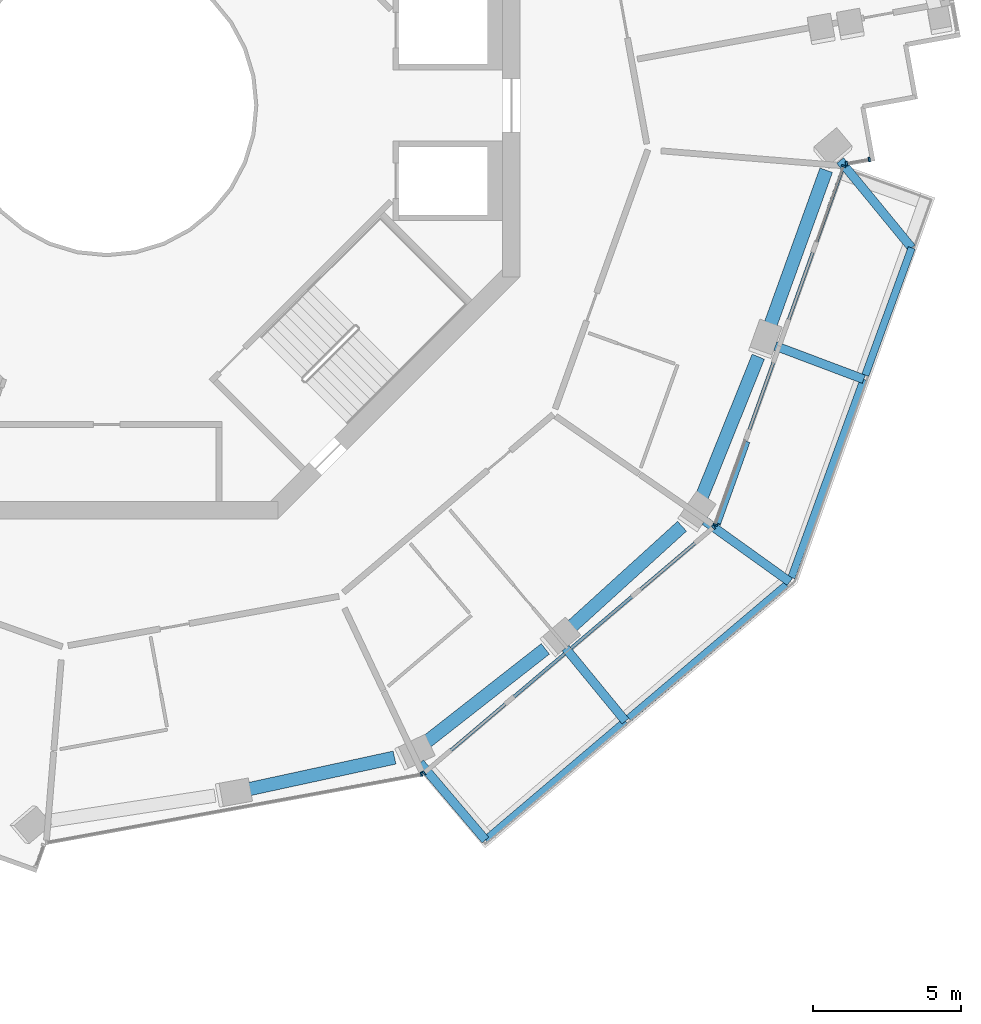
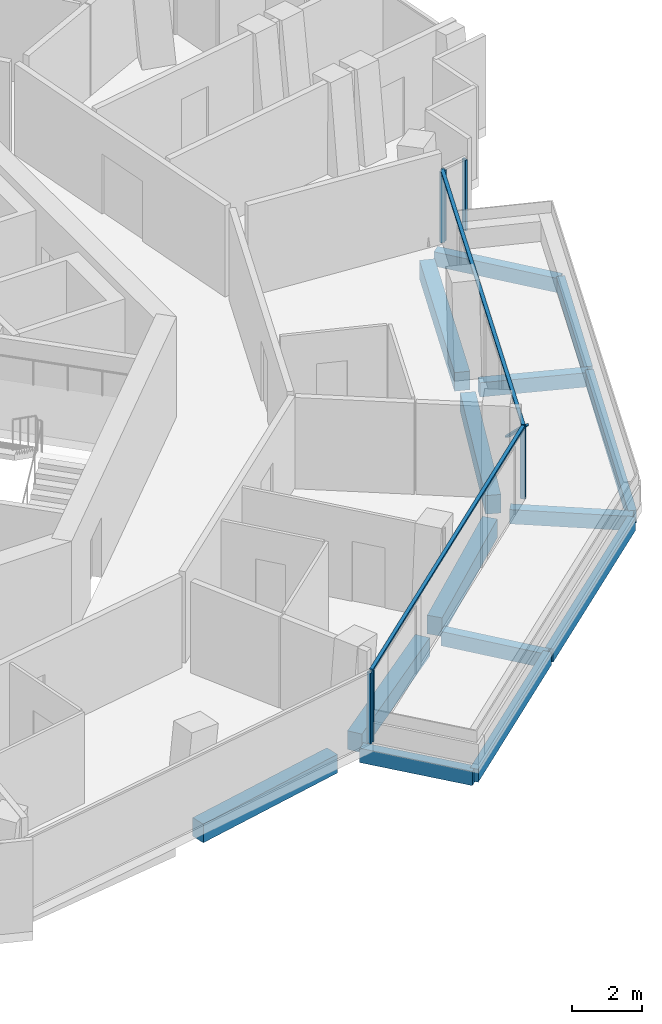
# One storey, part 4 of 21: 14 beams, 10 members, 4 elements without a shape of their own.
"""IFC4 building model written with IfcOpenShell, lengths in metres."""

from ifc_helpers import new_model, si_unit, direction, frame, origin, origin_2d, place, context, subcontext, project, spatial, rectangle, extrude, material, layer, layer_set, material_profile, profile_set, type_object, element, aggregate, save


model = new_model("IFC4")

# Units and contexts
model_context = context("Model", 3, precision=1e-05, world=origin(), true_north=direction((0.0, 1.0)))
body_context = subcontext(model_context, "Body", "Model", "MODEL_VIEW")
ifc_project = project(units=[si_unit("LENGTHUNIT", "METRE"), si_unit("AREAUNIT", "SQUARE_METRE"), si_unit("VOLUMEUNIT", "CUBIC_METRE"), si_unit("PLANEANGLEUNIT", "RADIAN"), si_unit("MASSUNIT", "GRAM", prefix="KILO")], contexts=[model_context])

# Site, building, storey
site_placement = place(None, origin())
site = spatial("IfcSite", under=ifc_project, at=site_placement, CompositionType="ELEMENT")
building_placement = place(site_placement, origin())
building = spatial("IfcBuilding", under=site, at=building_placement, Name="Verdalira Terraces Hotel", CompositionType="ELEMENT")
storey_placement = place(building_placement, frame((0.0, 0.0, 197.5)))
storey = spatial("IfcBuildingStorey", under=building, at=storey_placement, Name="L48", CompositionType="ELEMENT", Elevation=197.5)

# Beams
ifc_material_1 = material(Name="Concrete C40", Category="concrete")
ifc_material_profile_1 = material_profile(ifc_material_1, rectangle(XDim=0.300049, YDim=0.5, at=origin_2d()), Name="RC 300X500")
ifc_profile_set_1 = profile_set([ifc_material_profile_1], Name="Concrete C40")
beam_type_1 = type_object("IfcBeamType", Name="Balcony cantilever beam RC 300X500 C40", PredefinedType="BEAM", material=ifc_profile_set_1)
beam_1_placement = place(storey_placement, frame((10.609619, -22.25708, -0.560059), z_axis=(0.647095547, -0.762408915, 0.0), x_axis=(0.762408915, 0.647095547, 0.0)))
element("IfcBeam", 1, at=beam_1_placement, inside=storey, type_object=beam_type_1, Name="Balcony cantilever beam R26-1", PredefinedType="BEAM", context=body_context, shape_type="SweptSolid", body=[
    extrude(rectangle(XDim=0.300049, YDim=0.5, at=origin_2d()), origin(), (0.0, 0.0, 1.0), 3.423584),
])
beam_2_placement = place(storey_placement, frame((15.534912, -18.369873, -0.560059), z_axis=(0.634200893, -0.773168305, 0.0), x_axis=(0.773168305, 0.634200893, 0.0)))
element("IfcBeam", 2, at=beam_2_placement, inside=storey, type_object=beam_type_1, Name="Balcony cantilever beam R26-2", PredefinedType="BEAM", context=body_context, shape_type="SweptSolid", body=[
    extrude(rectangle(XDim=0.300049, YDim=0.5, at=origin_2d()), origin(), (0.0, 0.0, 1.0), 3.200928),
])
beam_3_placement = place(storey_placement, frame((20.25, -14.063232, -0.560059), z_axis=(0.812675798, -0.582716095, 0.0), x_axis=(0.582716095, 0.812675798, 0.0)))
element("IfcBeam", 3, at=beam_3_placement, inside=storey, type_object=beam_type_1, Name="Balcony cantilever beam R26-3", PredefinedType="BEAM", context=body_context, shape_type="SweptSolid", body=[
    extrude(rectangle(XDim=0.300049, YDim=0.5, at=origin_2d()), origin(), (0.0, 0.0, 1.0), 3.544922),
])
beam_4_placement = place(storey_placement, frame((22.638672, -8.141357, -0.560059), z_axis=(0.935823539, -0.35246887, 0.0), x_axis=(0.35246887, 0.935823539, 0.0)))
element("IfcBeam", 4, at=beam_4_placement, inside=storey, type_object=beam_type_1, Name="Balcony cantilever beam R26-4", PredefinedType="BEAM", context=body_context, shape_type="SweptSolid", body=[
    extrude(rectangle(XDim=0.300049, YDim=0.5, at=origin_2d()), origin(), (0.0, 0.0, 1.0), 3.200684),
])
beam_5_placement = place(storey_placement, frame((24.833252, -1.866699, -0.560059), z_axis=(0.6341736, -0.773190691, 0.0), x_axis=(0.773190691, 0.6341736, 0.0)))
element("IfcBeam", 5, at=beam_5_placement, inside=storey, type_object=beam_type_1, Name="Balcony cantilever beam R26-5", PredefinedType="BEAM", context=body_context, shape_type="SweptSolid", body=[
    extrude(rectangle(XDim=0.300049, YDim=0.5, at=origin_2d()), origin(), (0.0, 0.0, 1.0), 3.819824),
])
ifc_material_2 = material(Name="Concrete C40", Category="concrete")
ifc_material_profile_2 = material_profile(ifc_material_2, rectangle(XDim=0.25, YDim=0.449951, at=origin_2d()), Name="RC 250X450")
ifc_profile_set_2 = profile_set([ifc_material_profile_2], Name="Concrete C40")
beam_type_2 = type_object("IfcBeamType", Name="Balcony edge beam RC 250X450 C40", PredefinedType="BEAM", material=ifc_profile_set_2)
beam_6_placement = place(storey_placement, frame((12.824951, -24.867188, -0.534912), z_axis=(0.76245747, 0.647038335, 0.0), x_axis=(-0.647038335, 0.76245747, 0.0)))
element("IfcBeam", 6, at=beam_6_placement, inside=storey, type_object=beam_type_2, Name="Balcony edge beam R26-1", PredefinedType="BEAM", context=body_context, shape_type="SweptSolid", body=[
    extrude(rectangle(XDim=0.25, YDim=0.449951, at=origin_2d()), origin(), (0.0, 0.0, 1.0), 6.216797),
])
beam_7_placement = place(storey_placement, frame((17.679443, -20.747803, -0.534912), z_axis=(0.762956909, 0.646449345, 0.0), x_axis=(-0.646449345, 0.762956909, 0.0)))
element("IfcBeam", 7, at=beam_7_placement, inside=storey, type_object=beam_type_2, Name="Balcony edge beam R26-2", PredefinedType="BEAM", context=body_context, shape_type="SweptSolid", body=[
    extrude(rectangle(XDim=0.25, YDim=0.449951, at=origin_2d()), origin(), (0.0, 0.0, 1.0), 6.990479),
])
beam_8_placement = place(storey_placement, frame((23.184326, -15.982422, -0.534912), z_axis=(0.342812683, 0.939403781, 0.0), x_axis=(-0.939403781, 0.342812683, 0.0)))
element("IfcBeam", 8, at=beam_8_placement, inside=storey, type_object=beam_type_2, Name="Balcony edge beam R26-3", PredefinedType="BEAM", context=body_context, shape_type="SweptSolid", body=[
    extrude(rectangle(XDim=0.25, YDim=0.449951, at=origin_2d()), origin(), (0.0, 0.0, 1.0), 7.145996),
])
beam_9_placement = place(storey_placement, frame((25.685303, -9.128662, -0.534912), z_axis=(0.342426906, 0.939544471, 0.0), x_axis=(-0.939544471, 0.342426906, 0.0)))
element("IfcBeam", 9, at=beam_9_placement, inside=storey, type_object=beam_type_2, Name="Balcony edge beam R26-4", PredefinedType="BEAM", context=body_context, shape_type="SweptSolid", body=[
    extrude(rectangle(XDim=0.25, YDim=0.449951, at=origin_2d()), origin(), (0.0, 0.0, 1.0), 4.585938),
])

# Curtain wall, member
ifc_material_3 = material(Name="Clear glass", Category="glass")
ifc_layer_1 = layer(ifc_material_3, 0.14990234375)
ifc_layer_set_1 = layer_set([ifc_layer_1], Name="CW1 curtain wall")
curtain_wall_type_1 = type_object("IfcCurtainWallType", Name="CW1 curtain wall", PredefinedType="NOTDEFINED", material=ifc_layer_set_1)
curtain_wall_1_placement = place(storey_placement, origin())
curtain_wall_1 = element("IfcCurtainWall", 10, at=curtain_wall_1_placement, inside=storey, type_object=curtain_wall_type_1, Name="CW1 curtain wall L48 edge 25", PredefinedType="NOTDEFINED")
ifc_material_4 = material(Name="Terracotta frame", Category="masonry")
ifc_material_profile_3 = material_profile(ifc_material_4, rectangle(XDim=0.060059, YDim=0.149902, at=origin_2d()), Name="MU 60x150")
ifc_profile_set_3 = profile_set([ifc_material_profile_3], Name="Terracotta frame")
member_type_1 = type_object("IfcMemberType", Name="CW1 mullion 60x150", PredefinedType="MULLION", material=ifc_profile_set_3)
member_1_placement = place(storey_placement, frame((10.658203, -22.640137, 0.0), z_axis=(0.0, 0.0, 1.0), x_axis=(0.983822564, 0.179145645, 0.0)))
member_1 = element("IfcMember", 11, at=member_1_placement, type_object=member_type_1, Name="CW1 mullion", PredefinedType="MULLION", context=body_context, shape_type="SweptSolid", body=[
    extrude(rectangle(XDim=0.060059, YDim=0.149902, at=origin_2d()), origin(), (0.0, 0.0, 1.0), 2.475098),
])
aggregate(curtain_wall_1, [member_1])

# Curtain wall, members
curtain_wall_2_placement = place(storey_placement, origin())
curtain_wall_2 = element("IfcCurtainWall", 12, at=curtain_wall_2_placement, inside=storey, type_object=curtain_wall_type_1, Name="CW1 curtain wall L48 edge 26", PredefinedType="NOTDEFINED")
member_2_placement = place(storey_placement, frame((10.745605, -22.598877, 0.0), z_axis=(0.0, 0.0, 1.0), x_axis=(0.762442511, 0.647055962, 0.0)))
member_2 = element("IfcMember", 13, at=member_2_placement, type_object=member_type_1, Name="CW1 mullion", PredefinedType="MULLION", context=body_context, shape_type="SweptSolid", body=[
    extrude(rectangle(XDim=0.060059, YDim=0.149902, at=origin_2d()), origin(), (0.0, 0.0, 1.0), 2.475098),
])
member_3_placement = place(storey_placement, frame((20.550293, -14.277832, 0.0), z_axis=(0.0, 0.0, 1.0), x_axis=(0.762442511, 0.647055962, 0.0)))
member_3 = element("IfcMember", 14, at=member_3_placement, type_object=member_type_1, Name="CW1 mullion", PredefinedType="MULLION", context=body_context, shape_type="SweptSolid", body=[
    extrude(rectangle(XDim=0.060059, YDim=0.149902, at=origin_2d()), origin(), (0.0, 0.0, 1.0), 2.475098),
])

curtain_wall_3_placement = place(storey_placement, origin())
curtain_wall_3 = element("IfcCurtainWall", 15, at=curtain_wall_3_placement, inside=storey, type_object=curtain_wall_type_1, Name="CW1 curtain wall L48 edge 27", PredefinedType="NOTDEFINED")
member_4_placement = place(storey_placement, frame((20.605469, -14.198486, 0.0), z_axis=(0.0, 0.0, 1.0), x_axis=(0.336766603, 0.941588156, 0.0)))
member_4 = element("IfcMember", 16, at=member_4_placement, type_object=member_type_1, Name="CW1 mullion", PredefinedType="MULLION", context=body_context, shape_type="SweptSolid", body=[
    extrude(rectangle(XDim=0.060059, YDim=0.149902, at=origin_2d()), origin(), (0.0, 0.0, 1.0), 2.475098),
])
member_5_placement = place(storey_placement, frame((24.949707, -2.052002, 0.0), z_axis=(0.0, 0.0, 1.0), x_axis=(0.336766603, 0.941588156, 0.0)))
member_5 = element("IfcMember", 17, at=member_5_placement, type_object=member_type_1, Name="CW1 mullion", PredefinedType="MULLION", context=body_context, shape_type="SweptSolid", body=[
    extrude(rectangle(XDim=0.060059, YDim=0.149902, at=origin_2d()), origin(), (0.0, 0.0, 1.0), 2.475098),
])

# Member
ifc_material_5 = material(Name="Terracotta frame", Category="masonry")
ifc_material_profile_4 = material_profile(ifc_material_5, rectangle(XDim=0.110107, YDim=0.064941, at=origin_2d()), Name="TR 65x110")
ifc_profile_set_4 = profile_set([ifc_material_profile_4], Name="Terracotta frame")
member_type_2 = type_object("IfcMemberType", Name="CW1 transom 65x110", PredefinedType="USERDEFINED", material=ifc_profile_set_4)
member_6_placement = place(storey_placement, frame((10.722656, -22.618164, 2.507568), z_axis=(0.762450091, 0.64704703, 0.0), x_axis=(-0.64704703, 0.762450091, 0.0)))
member_6 = element("IfcMember", 18, at=member_6_placement, type_object=member_type_2, Name="CW1 transom", ObjectType="TRANSOM", PredefinedType="USERDEFINED", context=body_context, shape_type="SweptSolid", body=[
    extrude(rectangle(XDim=0.110107, YDim=0.064941, at=origin_2d()), origin(), (0.0, 0.0, 1.0), 12.919678),
])

aggregate(curtain_wall_2, [member_2, member_3, member_6])

member_7_placement = place(storey_placement, frame((20.595215, -14.226562, 2.507568), z_axis=(0.336775527, 0.941584964, 0.0), x_axis=(-0.941584964, 0.336775527, 0.0)))
member_7 = element("IfcMember", 19, at=member_7_placement, type_object=member_type_2, Name="CW1 transom", ObjectType="TRANSOM", PredefinedType="USERDEFINED", context=body_context, shape_type="SweptSolid", body=[
    extrude(rectangle(XDim=0.110107, YDim=0.064941, at=origin_2d()), origin(), (0.0, 0.0, 1.0), 12.959717),
])

# Curtain wall, members
ifc_material_6 = material(Name="Clear glass", Category="glass")
ifc_layer_2 = layer(ifc_material_6, 0.14990234375)
ifc_layer_set_2 = layer_set([ifc_layer_2], Name="CW2 curtain wall")
curtain_wall_type_2 = type_object("IfcCurtainWallType", Name="CW2 curtain wall", PredefinedType="NOTDEFINED", material=ifc_layer_set_2)
curtain_wall_4_placement = place(storey_placement, origin())
curtain_wall_4 = element("IfcCurtainWall", 20, at=curtain_wall_4_placement, inside=storey, type_object=curtain_wall_type_2, Name="CW2 curtain wall L48 edge 28", PredefinedType="NOTDEFINED")
ifc_material_7 = material(Name="Terracotta frame", Category="masonry")
ifc_material_profile_5 = material_profile(ifc_material_7, rectangle(XDim=0.070068, YDim=0.149902, at=origin_2d()), Name="MU 70x150")
ifc_profile_set_5 = profile_set([ifc_material_profile_5], Name="Terracotta frame")
member_type_3 = type_object("IfcMemberType", Name="CW2 mullion 70x150", PredefinedType="MULLION", material=ifc_profile_set_5)
member_8_placement = place(storey_placement, frame((25.05127, -1.968994, 0.0), z_axis=(0.0, 0.0, 1.0), x_axis=(0.983822564, 0.179145645, 0.0)))
member_8 = element("IfcMember", 21, at=member_8_placement, type_object=member_type_3, Name="CW2 mullion", PredefinedType="MULLION", context=body_context, shape_type="SweptSolid", body=[
    extrude(rectangle(XDim=0.070068, YDim=0.149902, at=origin_2d()), origin(), (0.0, 0.0, 1.0), 2.475098),
])
member_9_placement = place(storey_placement, frame((25.818604, -1.829346, 0.0), z_axis=(0.0, 0.0, 1.0), x_axis=(0.983822564, 0.179145645, 0.0)))
member_9 = element("IfcMember", 22, at=member_9_placement, type_object=member_type_3, Name="CW2 mullion", PredefinedType="MULLION", context=body_context, shape_type="SweptSolid", body=[
    extrude(rectangle(XDim=0.070068, YDim=0.149902, at=origin_2d()), origin(), (0.0, 0.0, 1.0), 2.475098),
])
aggregate(curtain_wall_4, [member_8, member_9])

# Member
ifc_material_8 = material(Name="Terracotta frame", Category="masonry")
ifc_material_profile_6 = material_profile(ifc_material_8, rectangle(XDim=0.149902, YDim=0.060059, at=origin_2d()), Name="GB 60x150")
ifc_profile_set_6 = profile_set([ifc_material_profile_6], Name="Terracotta frame")
member_type_4 = type_object("IfcMemberType", Name="Diagonal glazing bar 60x150", PredefinedType="USERDEFINED", material=ifc_profile_set_6)
member_10_placement = place(storey_placement, frame((20.709229, -14.172119, 2.450684), z_axis=(0.259747558, 0.726281325, -0.636432749), x_axis=(-0.941593426, 0.336751868, 0.0)))
member_10 = element("IfcMember", 23, at=member_10_placement, type_object=member_type_4, Name="Diagonal glazing bar", ObjectType="GLAZING BAR", PredefinedType="USERDEFINED", context=body_context, shape_type="SweptSolid", body=[
    extrude(rectangle(XDim=0.149902, YDim=0.060059, at=origin_2d()), origin(), (0.0, 0.0, 1.0), 3.812256),
])

aggregate(curtain_wall_3, [member_4, member_5, member_7, member_10])

# Beams
ifc_material_9 = material(Name="Concrete C50", Category="concrete")
ifc_material_profile_7 = material_profile(ifc_material_9, rectangle(XDim=0.449951, YDim=0.649902, at=origin_2d()), Name="RC 450X650")
ifc_profile_set_7 = profile_set([ifc_material_profile_7], Name="Concrete C50")
beam_type_3 = type_object("IfcBeamType", Name="Spandrel beam RC 450X650 C50", PredefinedType="SPANDREL", material=ifc_profile_set_7)
beam_10_placement = place(storey_placement, frame((4.675049, -23.177734, -0.63501), z_axis=(0.977251034, 0.212085869, 0.0), x_axis=(-0.212085869, 0.977251034, 0.0)))
element("IfcBeam", 24, at=beam_10_placement, inside=storey, type_object=beam_type_3, Name="Spandrel beam B12", PredefinedType="SPANDREL", context=body_context, shape_type="SweptSolid", body=[
    extrude(rectangle(XDim=0.449951, YDim=0.649902, at=origin_2d()), origin(), (0.0, 0.0, 1.0), 5.189453),
])
beam_11_placement = place(storey_placement, frame((10.763184, -21.5979, -0.63501), z_axis=(0.787525837, 0.616281637, 0.0), x_axis=(-0.616281637, 0.787525837, 0.0)))
element("IfcBeam", 25, at=beam_11_placement, inside=storey, type_object=beam_type_3, Name="Spandrel beam B13", PredefinedType="SPANDREL", context=body_context, shape_type="SweptSolid", body=[
    extrude(rectangle(XDim=0.449951, YDim=0.649902, at=origin_2d()), origin(), (0.0, 0.0, 1.0), 5.192383),
])
beam_12_placement = place(storey_placement, frame((15.637695, -17.734863, -0.63501), z_axis=(0.740280588, 0.672298037, 0.0), x_axis=(-0.672298037, 0.740280588, 0.0)))
element("IfcBeam", 26, at=beam_12_placement, inside=storey, type_object=beam_type_3, Name="Spandrel beam B14", PredefinedType="SPANDREL", context=body_context, shape_type="SweptSolid", body=[
    extrude(rectangle(XDim=0.449951, YDim=0.649902, at=origin_2d()), origin(), (0.0, 0.0, 1.0), 5.189209),
])
beam_13_placement = place(storey_placement, frame((20.120361, -13.322754, -0.63501), z_axis=(0.373821553, 0.927500645, 0.0), x_axis=(-0.927500645, 0.373821553, 0.0)))
element("IfcBeam", 27, at=beam_13_placement, inside=storey, type_object=beam_type_3, Name="Spandrel beam B15", PredefinedType="SPANDREL", context=body_context, shape_type="SweptSolid", body=[
    extrude(rectangle(XDim=0.449951, YDim=0.649902, at=origin_2d()), origin(), (0.0, 0.0, 1.0), 5.192139),
])
beam_14_placement = place(storey_placement, frame((22.42334, -7.55957, -0.63501), z_axis=(0.339605565, 0.940567945, 0.0), x_axis=(-0.940567945, 0.339605565, 0.0)))
element("IfcBeam", 28, at=beam_14_placement, inside=storey, type_object=beam_type_3, Name="Spandrel beam B16", PredefinedType="SPANDREL", context=body_context, shape_type="SweptSolid", body=[
    extrude(rectangle(XDim=0.449951, YDim=0.649902, at=origin_2d()), origin(), (0.0, 0.0, 1.0), 5.706543),
])

save(model, "model.ifc")
